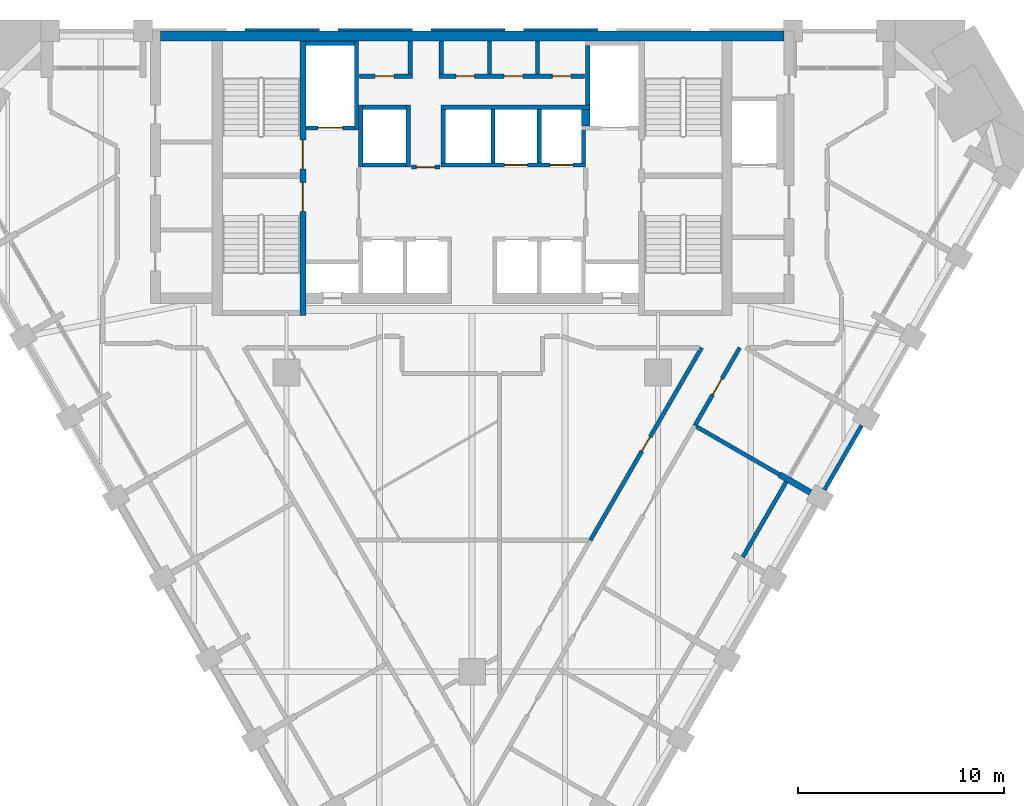
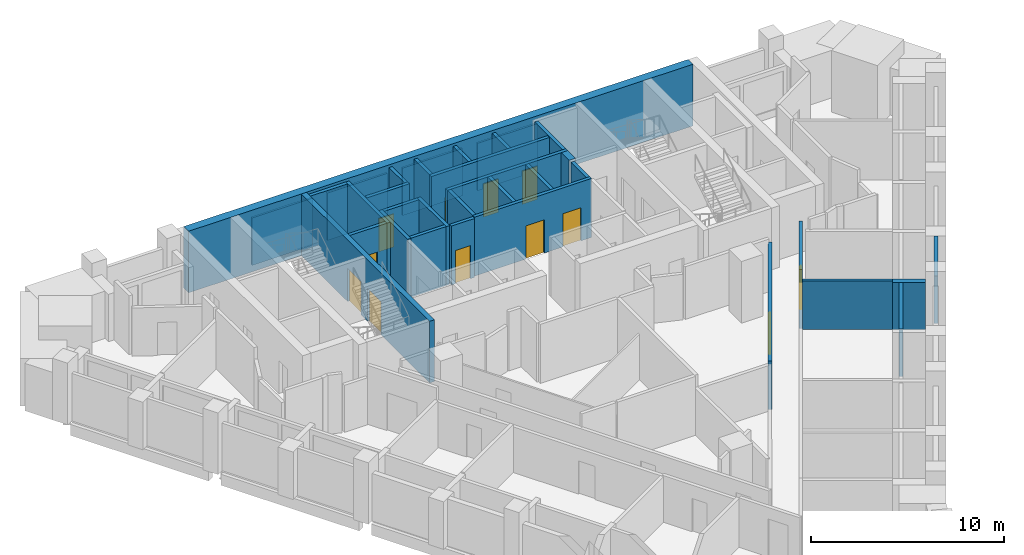
# One storey, part 6 of 10: 34 walls, 12 doors, 12 openings.
"""IFC4 building model written with IfcOpenShell, lengths in metres."""

import ifcopenshell
import ifcopenshell.guid

model = None  # the IFC model being written
_history = None  # IfcOwnerHistory: only IFC2X3 demands one
_inside = {}  # id of a spatial element -> (the spatial element, [elements in it])
_under = {}  # id of a project, library or spatial element -> (it, [spatial elements below it])
_declared = {}  # id of a project -> (the project, [libraries it declares])
_typed = {}  # id of a type object -> (the type object, [elements of that type])
_made_of = {}  # id of a material, layer set ... -> (it, [elements and type objects made of it])


def new_model(schema):
    """Start an empty IFC model of exactly this schema.

    Asked for "IFC4X3", IfcOpenShell would pick the latest addendum, in which some entities
    have other attributes; the version numbers below select the first issue.
    IFC2X3 requires an IfcOwnerHistory on every rooted entity: one is made here for all.
    """
    global model, _history
    if schema == "IFC4X3":
        model = ifcopenshell.file(schema_version=(4, 3, 0, 0))
    else:
        model = ifcopenshell.file(schema=schema)
    _inside.clear()
    _under.clear()
    _declared.clear()
    _typed.clear()
    _made_of.clear()
    _history = None
    if model.schema == "IFC2X3":
        org = make("IfcOrganization", Name="unknown")
        user = make(
            "IfcPersonAndOrganization",
            ThePerson=make("IfcPerson", FamilyName="unknown"),
            TheOrganization=org,
        )
        app = make(
            "IfcApplication",
            ApplicationDeveloper=org,
            Version="unknown",
            ApplicationFullName="unknown",
            ApplicationIdentifier="unknown",
        )
        _history = make(
            "IfcOwnerHistory",
            OwningUser=user,
            OwningApplication=app,
            ChangeAction="ADDED",
            CreationDate=0,
        )
    return model


def make(cls, **values):
    """One entity of the class cls with the attributes given. An attribute that is None is left unset."""
    return model.create_entity(
        cls, **{name: value for name, value in values.items() if value is not None}
    )


def rooted(cls, **values):
    """An entity with a GlobalId (a new one), such as an element, a storey or a relation."""
    return make(cls, GlobalId=ifcopenshell.guid.new(), OwnerHistory=_history, **values)


def si_unit(unit_type, name, prefix=None):
    """IfcSIUnit, for example si_unit("LENGTHUNIT", "METRE", prefix="MILLI")."""
    return make("IfcSIUnit", UnitType=unit_type, Prefix=prefix, Name=name)


def assignment(units):
    """IfcUnitAssignment: the units of a project."""
    return None if units is None else make("IfcUnitAssignment", Units=units)


def point(xyz):
    """IfcCartesianPoint."""
    return None if xyz is None else make("IfcCartesianPoint", Coordinates=xyz)


def direction(xyz):
    """IfcDirection."""
    return None if xyz is None else make("IfcDirection", DirectionRatios=xyz)


def frame(location, z_axis=None, x_axis=None):
    """IfcAxis2Placement3D, a coordinate frame: its origin and axes. An axis left out is left unset."""
    return make(
        "IfcAxis2Placement3D",
        Location=point(location),
        Axis=direction(z_axis),
        RefDirection=direction(x_axis),
    )


def frame_2d(location, x_axis=None):
    """IfcAxis2Placement2D, a coordinate frame in the plane: its origin and x axis."""
    return make(
        "IfcAxis2Placement2D", Location=point(location), RefDirection=direction(x_axis)
    )


def origin():
    """The frame at (0, 0, 0) with its axes left unset."""
    return frame((0.0, 0.0, 0.0))


def place(relative_to, where):
    """IfcLocalPlacement: puts the frame where relative to a parent placement (None: the world)."""
    return make(
        "IfcLocalPlacement", PlacementRelTo=relative_to, RelativePlacement=where
    )


def context(
    kind, dimensions, precision=None, world=None, true_north=None, identifier=None
):
    """IfcGeometricRepresentationContext, for example the 3D "Model" context."""
    return make(
        "IfcGeometricRepresentationContext",
        ContextIdentifier=identifier,
        ContextType=kind,
        CoordinateSpaceDimension=dimensions,
        Precision=precision,
        WorldCoordinateSystem=world,
        TrueNorth=true_north,
    )


def subcontext(parent, identifier, kind, view, scale=None):
    """IfcGeometricRepresentationSubContext, for example "Body" below "Model"."""
    return make(
        "IfcGeometricRepresentationSubContext",
        ContextIdentifier=identifier,
        ContextType=kind,
        ParentContext=parent,
        TargetScale=scale,
        TargetView=view,
    )


def project(units=None, contexts=None):
    """IfcProject with its units and contexts."""
    return rooted(
        "IfcProject",
        Name="project",
        RepresentationContexts=contexts,
        UnitsInContext=assignment(units),
    )


def spatial(cls, under=None, at=None, **own):
    """A site, building, storey or space (cls), placed at a placement, below another one or the project."""
    s = rooted(cls, ObjectPlacement=at, **own)
    if under is not None:
        _under.setdefault(under.id(), (under, []))[1].append(s)
    return s


def polyline(points):
    """IfcPolyline through the points."""
    return make("IfcPolyline", Points=[point(p) for p in points])


def profile(cls, at=None, kind="AREA", **sizes):
    """A parametric profile (cls). Its sizes go by their IFC names, for example OverallWidth=200.0."""
    return make(cls, ProfileType=kind, Position=at, **sizes)


def rectangle(**sizes):
    """IfcRectangleProfileDef."""
    return profile("IfcRectangleProfileDef", **sizes)


def outline(outer, holes=None, kind="AREA"):
    """IfcArbitraryClosedProfileDef: a profile drawn as a closed curve; with holes, ...WithVoids."""
    if holes is None:
        return make("IfcArbitraryClosedProfileDef", ProfileType=kind, OuterCurve=outer)
    return make(
        "IfcArbitraryProfileDefWithVoids",
        ProfileType=kind,
        OuterCurve=outer,
        InnerCurves=holes,
    )


def extrude(swept, where, along, depth):
    """IfcExtrudedAreaSolid: the profile swept, set in the frame where, extruded along a direction by depth."""
    return make(
        "IfcExtrudedAreaSolid",
        SweptArea=swept,
        Position=where,
        ExtrudedDirection=direction(along),
        Depth=depth,
    )


def shape(context_of_items, identifier, shape_type, items):
    """IfcShapeRepresentation: the items that make up one representation, for example the "Body"."""
    return make(
        "IfcShapeRepresentation",
        ContextOfItems=context_of_items,
        RepresentationIdentifier=identifier,
        RepresentationType=shape_type,
        Items=items,
    )


def material(Name=None, Category=None):
    """IfcMaterial."""
    return make("IfcMaterial", Name=Name, Category=Category)


def layer(
    of_material, thickness, ventilated=None, Name=None, Category=None, Priority=None
):
    """IfcMaterialLayer: one layer of a wall or slab, of a material (None: an air gap)."""
    return make(
        "IfcMaterialLayer",
        Material=of_material,
        LayerThickness=thickness,
        IsVentilated=ventilated,
        Name=Name,
        Category=Category,
        Priority=Priority,
    )


def layer_set(layers, Name=None):
    """IfcMaterialLayerSet."""
    return make("IfcMaterialLayerSet", MaterialLayers=layers, LayerSetName=Name)


def made_of(thing, what):
    """Note that an element or type object is made of a material, layer set ...; save() writes the relation."""
    if what is not None:
        _made_of.setdefault(what.id(), (what, []))[1].append(thing)
    return thing


def type_object(cls, material=None, **own):
    """A type object (cls), such as IfcWallType, which elements share."""
    return made_of(rooted(cls, **own), material)


def element(
    cls,
    number,
    at=None,
    inside=None,
    cuts=None,
    type_object=None,
    material=None,
    context=None,
    identifier="Body",
    shape_type=None,
    held_by="IfcProductDefinitionShape",
    body=None,
    shapes=None,
    **own,
):
    """One element of the class cls, such as IfcWall. Its Tag is "e" and its number.

    at: its placement. inside: the storey or other place that contains it. cuts: it is an
    opening in that element (IfcRelVoidsElement). A single representation is given by context,
    identifier, shape_type and body (its items); several are given by shapes. held_by: the class
    of the entity that holds the representations. save() writes the other relations.
    """
    e = rooted(cls, Tag="e%d" % number, ObjectPlacement=at, **own)
    if body is not None:
        shapes = [shape(context, identifier, shape_type, body)]
    if shapes is not None:
        e.Representation = make(held_by, Representations=shapes)
    if inside is not None:
        _inside.setdefault(inside.id(), (inside, []))[1].append(e)
    if cuts is not None:
        rooted(
            "IfcRelVoidsElement", RelatingBuildingElement=cuts, RelatedOpeningElement=e
        )
    if type_object is not None:
        _typed.setdefault(type_object.id(), (type_object, []))[1].append(e)
    return made_of(e, material)


def fill(opening, filler):
    """IfcRelFillsElement: the door or window that sits in an opening."""
    return rooted(
        "IfcRelFillsElement",
        RelatingOpeningElement=opening,
        RelatedBuildingElement=filler,
    )


def aggregate(whole, parts):
    """IfcRelAggregates: a whole, such as a stair, and the parts it consists of."""
    return rooted("IfcRelAggregates", RelatingObject=whole, RelatedObjects=parts)


def save(model, path):
    """Write the relations noted so far, then the file.

    IfcRelAggregates (storeys below a building ...), IfcRelContainedInSpatialStructure (elements
    in a storey), IfcRelDefinesByType, IfcRelAssociatesMaterial and IfcRelDeclares: one each for
    every whole, place, type object, material and project.
    """
    for whole, parts in _under.values():
        aggregate(whole, parts)
    for where, things in _inside.values():
        rooted(
            "IfcRelContainedInSpatialStructure",
            RelatedElements=things,
            RelatingStructure=where,
        )
    for kind, things in _typed.values():
        rooted("IfcRelDefinesByType", RelatedObjects=things, RelatingType=kind)
    for what, things in _made_of.values():
        rooted("IfcRelAssociatesMaterial", RelatedObjects=things, RelatingMaterial=what)
    for by, libraries in _declared.values():
        rooted("IfcRelDeclares", RelatingContext=by, RelatedDefinitions=libraries)
    model.write(path)


model = new_model("IFC4")

# Units and contexts
model_context = context("Model", 3, precision=1e-05, world=origin(), true_north=direction((0.0, 1.0)))
body_context = subcontext(model_context, "Body", "Model", "MODEL_VIEW")
ifc_project = project(units=[si_unit("LENGTHUNIT", "METRE"), si_unit("AREAUNIT", "SQUARE_METRE"), si_unit("VOLUMEUNIT", "CUBIC_METRE"), si_unit("PLANEANGLEUNIT", "RADIAN"), si_unit("MASSUNIT", "GRAM", prefix="KILO")], contexts=[model_context])

# Site, building, storey
site_placement = place(None, origin())
site = spatial("IfcSite", under=ifc_project, at=site_placement, CompositionType="ELEMENT")
building_placement = place(site_placement, origin())
building = spatial("IfcBuilding", under=site, at=building_placement, Name="Calabash Gate Tower", CompositionType="ELEMENT")
storey_placement = place(building_placement, frame((0.0, 0.0, 148.5)))
storey = spatial("IfcBuildingStorey", under=building, at=storey_placement, Name="L34", CompositionType="ELEMENT", Elevation=148.5)

# Walls
ifc_material_1 = material(Name="Terracotta brick masonry, exposed face", Category="masonry")
ifc_layer_1 = layer(ifc_material_1, 0.300048828125)
ifc_layer_set_1 = layer_set([ifc_layer_1], Name="Brick loggia cheek wall 300")
wall_type_1 = type_object("IfcWallType", Name="Brick loggia cheek wall 300", PredefinedType="SOLIDWALL", material=ifc_layer_set_1)
wall_1_placement = place(storey_placement, frame((16.390869140625, -3.31591796875, 0.0), z_axis=(0.0, 0.0, 1.0), x_axis=(-0.866013532718, 0.500020560727, 0.0)))
element("IfcWall", 1, at=wall_1_placement, inside=storey, type_object=wall_type_1, Name="Loggia cheek S09 SE4.4", PredefinedType="SOLIDWALL", context=body_context, shape_type="SweptSolid", body=[
    extrude(rectangle(XDim=1.72509765625, YDim=0.300048828125, at=frame_2d((0.862548828125, 0.0))), origin(), (0.0, 0.0, 1.0), 3.0),
])
ifc_material_2 = material(Name="Gypsum board on steel studs, mineral wool", Category="steel")
ifc_layer_2 = layer(ifc_material_2, 0.199951171875)
ifc_layer_set_2 = layer_set([ifc_layer_2], Name="Core partition 200 gypsum board")
wall_type_2 = type_object("IfcWallType", Name="Core partition 200 gypsum board", PredefinedType="PARTITIONING", material=ifc_layer_set_2)
for number, where, z_axis, x_axis, name in (
    (2, (-3.0, 16.95263671875, 0.0), (0.0, 0.0, 1.0), (0.0, 1.0, 0.0), "Core partition"),
    (3, (-1.5, 16.95263671875, 0.0), (0.0, 0.0, 1.0), (0.0, 1.0, 0.0), "Core partition"),
    (4, (0.833251953125, 16.95263671875, 0.0), (0.0, 0.0, 1.0), (0.0, 1.0, 0.0), "Core partition"),
    (5, (3.166748046875, 16.95263671875, 0.0), (0.0, 0.0, 1.0), (0.0, 1.0, 0.0), "Core partition"),
):
    element("IfcWall", number, at=place(storey_placement, frame(where, z_axis=z_axis, x_axis=x_axis)), inside=storey, type_object=wall_type_2, Name=name, PredefinedType="PARTITIONING", context=body_context, shape_type="SweptSolid", body=[
        extrude(rectangle(XDim=1.599853515625, YDim=0.199951171875, at=frame_2d((0.7998046875, 0.0))), origin(), (0.0, 0.0, 1.0), 3.72998046875),
    ])

# Wall, openings, doors
ifc_material_3 = material(Name="Concrete C70/85", Category="concrete")
ifc_layer_3 = layer(ifc_material_3, 0.300048828125)
ifc_layer_set_3 = layer_set([ifc_layer_3], Name="Core wall 300 Concrete C70/85")
wall_type_3 = type_object("IfcWallType", Name="Core wall 300 Concrete C70/85", PredefinedType="SHEAR", material=ifc_layer_set_3)
wall_2_placement = place(storey_placement, frame((-8.199951171875, 5.252685546875, 0.0), z_axis=(0.0, 0.0, 1.0), x_axis=(0.0, 1.0, 0.0)))
wall_2 = element("IfcWall", 6, at=wall_2_placement, inside=storey, type_object=wall_type_3, Name="Core wall Z3-PARTW L34", PredefinedType="SHEAR", context=body_context, shape_type="SweptSolid", body=[
    extrude(rectangle(XDim=13.2998046875, YDim=0.300048828125, at=frame_2d((6.64990234375, 0.0))), origin(), (0.0, 0.0, 1.0), 3.89990234375),
])
opening_1_placement = place(wall_2_placement, frame((7.10009765625, 0.0, 0.0)))
opening_1 = element("IfcOpeningElement", 7, at=opening_1_placement, cuts=wall_2, Name="Opening O1-016", PredefinedType="OPENING", context=body_context, shape_type="SweptSolid", body=[
    extrude(rectangle(XDim=1.39990234375, YDim=2.10009765625, at=frame_2d((0.699951171875, 1.050048828125))), frame((0.0, 0.159912109375, 0.0), z_axis=(0.0, -1.0, 0.0), x_axis=(1.0, 0.0, 0.0)), (0.0, 0.0, 1.0), 0.320068359375),
])
opening_2_placement = place(wall_2_placement, frame((5.050048828125, 0.0, 0.0)))
opening_2 = element("IfcOpeningElement", 8, at=opening_2_placement, cuts=wall_2, Name="Opening O1-017", PredefinedType="OPENING", context=body_context, shape_type="SweptSolid", body=[
    extrude(rectangle(XDim=1.39990234375, YDim=2.10009765625, at=frame_2d((0.699951171875, 1.050048828125))), frame((0.0, 0.159912109375, 0.0), z_axis=(0.0, -1.0, 0.0), x_axis=(1.0, 0.0, 0.0)), (0.0, 0.0, 1.0), 0.320068359375),
])
ifc_material_4 = material(Name="Steel fire door set with fire-resisting glazing", Category="steel")
door_type_1 = type_object("IfcDoorType", Name="Fire door D05 1400x2100 FD90", OperationType="NOTDEFINED", PredefinedType="DOOR", material=ifc_material_4)
door_1_placement = place(opening_1_placement, origin())
door_1 = element("IfcDoor", 9, at=door_1_placement, inside=storey, type_object=door_type_1, Name="Exit stair door ST1", OperationType="SINGLE_SWING_LEFT", OverallHeight=2.10009765625, OverallWidth=1.39990234375, PredefinedType="DOOR", context=body_context, shape_type="SweptSolid", body=[
    extrude(rectangle(XDim=1.39990234375, YDim=2.10009765625, at=frame_2d((0.699951171875, 1.050048828125))), frame((0.0, 0.02490234375, 0.0), z_axis=(0.0, -1.0, 0.0), x_axis=(1.0, 0.0, 0.0)), (0.0, 0.0, 1.0), 0.050048828125),
])
fill(opening_1, door_1)
door_2_placement = place(opening_2_placement, origin())
door_2 = element("IfcDoor", 10, at=door_2_placement, inside=storey, type_object=door_type_1, Name="Exit stair door ST2", OperationType="SINGLE_SWING_LEFT", OverallHeight=2.10009765625, OverallWidth=1.39990234375, PredefinedType="DOOR", context=body_context, shape_type="SweptSolid", body=[
    extrude(rectangle(XDim=1.39990234375, YDim=2.10009765625, at=frame_2d((0.699951171875, 1.050048828125))), frame((0.0, 0.02490234375, 0.0), z_axis=(0.0, -1.0, 0.0), x_axis=(1.0, 0.0, 0.0)), (0.0, 0.0, 1.0), 0.050048828125),
])
fill(opening_2, door_2)

# Wall
ifc_material_5 = material(Name="Concrete C70/85", Category="concrete")
ifc_layer_4 = layer(ifc_material_5, 0.5)
ifc_layer_set_4 = layer_set([ifc_layer_4], Name="Core wall 500 Concrete C70/85")
wall_type_4 = type_object("IfcWallType", Name="Core wall 500 Concrete C70/85", PredefinedType="SHEAR", material=ifc_layer_set_4)
wall_3_placement = place(storey_placement, frame((-15.10009765625, 18.802490234375, 0.0), z_axis=(0.0, 0.0, 1.0), x_axis=(1.0, 0.0, 0.0)))
element("IfcWall", 11, at=wall_3_placement, inside=storey, type_object=wall_type_4, Name="Core wall Z3-N L34", PredefinedType="SHEAR", context=body_context, shape_type="SweptSolid", body=[
    extrude(rectangle(XDim=30.2001953125, YDim=0.5, at=frame_2d((15.10009765625, 0.0))), origin(), (0.0, 0.0, 1.0), 3.89990234375),
])

# Wall, opening, door
ifc_material_6 = material(Name="Gypsum board on steel studs, mineral wool", Category="steel")
ifc_layer_5 = layer(ifc_material_6, 0.199951171875)
ifc_layer_set_5 = layer_set([ifc_layer_5], Name="Partition 200 gypsum board EI 60")
wall_type_5 = type_object("IfcWallType", Name="Partition 200 gypsum board EI 60", PredefinedType="PARTITIONING", material=ifc_layer_set_5)
wall_4_placement = place(storey_placement, frame((5.72900390625, -5.62890625, 0.0), z_axis=(0.0, 0.0, 1.0), x_axis=(0.500143553768, 0.865942507113, 0.0)))
wall_4 = element("IfcWall", 12, at=wall_4_placement, inside=storey, type_object=wall_type_5, Name="Partition", PredefinedType="PARTITIONING", context=body_context, shape_type="SweptSolid", body=[
    extrude(rectangle(XDim=10.772705078125, YDim=0.199951171875, at=frame_2d((5.38623046875, 0.0))), origin(), (0.0, 0.0, 1.0), 3.052001953125),
])
opening_3_placement = place(wall_4_placement, frame((4.987060546875, 0.0, 0.0)))
opening_3 = element("IfcOpeningElement", 13, at=opening_3_placement, cuts=wall_4, Name="Opening 33-35-008", PredefinedType="OPENING", context=body_context, shape_type="SweptSolid", body=[
    extrude(rectangle(XDim=0.800048828125, YDim=2.10009765625, at=frame_2d((0.39990234375, 1.050048828125))), frame((0.0, 0.10986328125, 0.0), z_axis=(0.0, -1.0, 0.0), x_axis=(1.0, 0.0, 0.0)), (0.0, 0.0, 1.0), 0.219970703125),
])
ifc_material_7 = material(Name="Steel fire door set with fire-resisting glazing", Category="steel")
door_type_2 = type_object("IfcDoorType", Name="SD2 Riser access door 800x2100", OperationType="NOTDEFINED", PredefinedType="DOOR", material=ifc_material_7)
door_3_placement = place(opening_3_placement, origin())
door_3 = element("IfcDoor", 14, at=door_3_placement, inside=storey, type_object=door_type_2, Name="Riser access door", OperationType="SINGLE_SWING_RIGHT", OverallHeight=2.10009765625, OverallWidth=0.800048828125, PredefinedType="DOOR", context=body_context, shape_type="SweptSolid", body=[
    extrude(rectangle(XDim=0.800048828125, YDim=2.10009765625, at=frame_2d((0.39990234375, 1.050048828125))), frame((0.0, 0.02490234375, 0.0), z_axis=(0.0, -1.0, 0.0), x_axis=(1.0, 0.0, 0.0)), (0.0, 0.0, 1.0), 0.050048828125),
])
fill(opening_3, door_3)

# Wall
wall_5_placement = place(storey_placement, frame((10.87255859375, -0.127685546875, 0.0), z_axis=(0.0, 0.0, 1.0), x_axis=(0.86585748916, -0.500290723946, 0.0)))
element("IfcWall", 15, at=wall_5_placement, inside=storey, type_object=wall_type_5, Name="Partition", PredefinedType="PARTITIONING", context=body_context, shape_type="SweptSolid", body=[
    extrude(rectangle(XDim=4.648193359375, YDim=0.199951171875, at=frame_2d((2.32421875, 0.0))), origin(), (0.0, 0.0, 1.0), 3.052001953125),
])

# Wall, opening, door
wall_6_placement = place(storey_placement, frame((10.7861328125, -0.07763671875, 0.0), z_axis=(0.0, 0.0, 1.0), x_axis=(0.499631976044, 0.866237778277, 0.0)))
wall_6 = element("IfcWall", 16, at=wall_6_placement, inside=storey, type_object=wall_type_5, Name="Partition", PredefinedType="PARTITIONING", context=body_context, shape_type="SweptSolid", body=[
    extrude(rectangle(XDim=4.360595703125, YDim=0.199951171875, at=frame_2d((2.18017578125, 0.0))), origin(), (0.0, 0.0, 1.0), 3.72998046875),
])
opening_4_placement = place(wall_6_placement, frame((1.7294921875, 0.0, 0.0)))
opening_4 = element("IfcOpeningElement", 17, at=opening_4_placement, cuts=wall_6, Name="Opening 33-35-007", PredefinedType="OPENING", context=body_context, shape_type="SweptSolid", body=[
    extrude(rectangle(XDim=0.89990234375, YDim=2.10009765625, at=frame_2d((0.449951171875, 1.050048828125))), frame((0.0, 0.10986328125, 0.0), z_axis=(0.0, -1.0, 0.0), x_axis=(1.0, 0.0, 0.0)), (0.0, 0.0, 1.0), 0.219970703125),
])
ifc_material_8 = material(Name="Steel fire door set with fire-resisting glazing", Category="steel")
door_type_3 = type_object("IfcDoorType", Name="SD3 Store door 900x2100", OperationType="NOTDEFINED", PredefinedType="DOOR", material=ifc_material_8)
door_4_placement = place(opening_4_placement, origin())
door_4 = element("IfcDoor", 18, at=door_4_placement, inside=storey, type_object=door_type_3, Name="Store door", OperationType="SINGLE_SWING_RIGHT", OverallHeight=2.10009765625, OverallWidth=0.89990234375, PredefinedType="DOOR", context=body_context, shape_type="SweptSolid", body=[
    extrude(rectangle(XDim=0.89990234375, YDim=2.10009765625, at=frame_2d((0.449951171875, 1.050048828125))), frame((0.0, 0.02490234375, 0.0), z_axis=(0.0, -1.0, 0.0), x_axis=(1.0, 0.0, 0.0)), (0.0, 0.0, 1.0), 0.050048828125),
])
fill(opening_4, door_4)

ifc_material_9 = material(Name="Concrete C40/50", Category="concrete")
ifc_layer_6 = layer(ifc_material_9, 0.199951171875)
ifc_layer_set_6 = layer_set([ifc_layer_6], Name="Shaft wall 200 Concrete C40/50")
wall_type_6 = type_object("IfcWallType", Name="Shaft wall 200 Concrete C40/50", PredefinedType="SOLIDWALL", material=ifc_layer_set_6)
wall_7_placement = place(storey_placement, frame((-2.949951171875, 12.45263671875, 0.0), z_axis=(0.0, 0.0, 1.0), x_axis=(1.0, 0.0, 0.0)))
wall_7 = element("IfcWall", 19, at=wall_7_placement, inside=storey, type_object=wall_type_6, Name="Shaft wall", PredefinedType="SOLIDWALL", context=body_context, shape_type="SweptSolid", body=[
    extrude(rectangle(XDim=1.39990234375, YDim=0.199951171875, at=frame_2d((0.699951171875, 0.0))), origin(), (0.0, 0.0, 1.0), 3.72998046875),
])
opening_5_placement = place(wall_7_placement, frame((0.25, 0.0, 0.0)))
opening_5 = element("IfcOpeningElement", 20, at=opening_5_placement, cuts=wall_7, Name="Opening O1-007", PredefinedType="OPENING", context=body_context, shape_type="SweptSolid", body=[
    extrude(rectangle(XDim=0.89990234375, YDim=2.10009765625, at=frame_2d((0.449951171875, 1.050048828125))), frame((0.0, 0.10986328125, 0.0), z_axis=(0.0, -1.0, 0.0), x_axis=(1.0, 0.0, 0.0)), (0.0, 0.0, 1.0), 0.219970703125),
])
ifc_material_10 = material(Name="Steel fire door set with fire-resisting glazing", Category="steel")
door_type_4 = type_object("IfcDoorType", Name="Fire door D06 900x2100 FD60", OperationType="NOTDEFINED", PredefinedType="DOOR", material=ifc_material_10)
door_5_placement = place(opening_5_placement, origin())
door_5 = element("IfcDoor", 21, at=door_5_placement, inside=storey, type_object=door_type_4, Name="Service Corridor door", OperationType="SINGLE_SWING_RIGHT", OverallHeight=2.10009765625, OverallWidth=0.89990234375, PredefinedType="DOOR", context=body_context, shape_type="SweptSolid", body=[
    extrude(rectangle(XDim=0.89990234375, YDim=2.10009765625, at=frame_2d((0.449951171875, 1.050048828125))), frame((0.0, 0.02490234375, 0.0), z_axis=(0.0, -1.0, 0.0), x_axis=(1.0, 0.0, 0.0)), (0.0, 0.0, 1.0), 0.050048828125),
])
fill(opening_5, door_5)

# Walls
wall_8_placement = place(storey_placement, frame((-5.39990234375, 12.45263671875, 0.0), z_axis=(0.0, 0.0, 1.0), x_axis=(0.0, 1.0, 0.0)))
element("IfcWall", 22, at=wall_8_placement, inside=storey, type_object=wall_type_6, Name="Shaft wall", PredefinedType="SOLIDWALL", context=body_context, shape_type="SweptSolid", body=[
    extrude(rectangle(XDim=3.0, YDim=0.199951171875, at=frame_2d((1.5, 0.0))), origin(), (0.0, 0.0, 1.0), 3.72998046875),
])
wall_9_placement = place(storey_placement, frame((-5.300048828125, 12.552490234375, 0.0), z_axis=(0.0, 0.0, 1.0), x_axis=(1.0, 0.0, 0.0)))
element("IfcWall", 23, at=wall_9_placement, inside=storey, type_object=wall_type_6, Name="Shaft wall", PredefinedType="SOLIDWALL", context=body_context, shape_type="SweptSolid", body=[
    extrude(rectangle(XDim=2.10009765625, YDim=0.199951171875, at=frame_2d((1.050048828125, 0.0))), origin(), (0.0, 0.0, 1.0), 3.72998046875),
])
wall_10_placement = place(storey_placement, frame((-3.10009765625, 12.45263671875, 0.0), z_axis=(0.0, 0.0, 1.0), x_axis=(0.0, 1.0, 0.0)))
element("IfcWall", 24, at=wall_10_placement, inside=storey, type_object=wall_type_6, Name="Shaft wall", PredefinedType="SOLIDWALL", context=body_context, shape_type="SweptSolid", body=[
    extrude(rectangle(XDim=3.0, YDim=0.199951171875, at=frame_2d((1.5, 0.0))), origin(), (0.0, 0.0, 1.0), 3.72998046875),
])

# Wall, openings, doors
wall_11_placement = place(storey_placement, frame((-1.5, 12.552490234375, 0.0), z_axis=(0.0, 0.0, 1.0), x_axis=(1.0, 0.0, 0.0)))
wall_11 = element("IfcWall", 25, at=wall_11_placement, inside=storey, type_object=wall_type_6, Name="Shaft wall", PredefinedType="SOLIDWALL", context=body_context, shape_type="SweptSolid", body=[
    extrude(rectangle(XDim=7.0, YDim=0.199951171875, at=frame_2d((3.5, 0.0))), origin(), (0.0, 0.0, 1.0), 3.72998046875),
])
opening_6_placement = place(wall_11_placement, frame((3.074951171875, 0.0, 0.0)))
opening_6 = element("IfcOpeningElement", 26, at=opening_6_placement, cuts=wall_11, Name="Opening LD-HR5", PredefinedType="OPENING", context=body_context, shape_type="SweptSolid", body=[
    extrude(rectangle(XDim=1.10009765625, YDim=2.10009765625, at=frame_2d((0.550048828125, 1.050048828125))), frame((0.0, 0.10986328125, 0.0), z_axis=(0.0, -1.0, 0.0), x_axis=(1.0, 0.0, 0.0)), (0.0, 0.0, 1.0), 0.219970703125),
])
opening_7_placement = place(wall_11_placement, frame((5.27490234375, 0.0, 0.0)))
opening_7 = element("IfcOpeningElement", 27, at=opening_7_placement, cuts=wall_11, Name="Opening LD-HR6", PredefinedType="OPENING", context=body_context, shape_type="SweptSolid", body=[
    extrude(rectangle(XDim=1.10009765625, YDim=2.10009765625, at=frame_2d((0.550048828125, 1.050048828125))), frame((0.0, 0.10986328125, 0.0), z_axis=(0.0, -1.0, 0.0), x_axis=(1.0, 0.0, 0.0)), (0.0, 0.0, 1.0), 0.219970703125),
])
ifc_material_11 = material(Name="Stainless steel sliding door leaves", Category="steel")
door_type_5 = type_object("IfcDoorType", Name="Lift landing door LS1 1100x2100 FD90", OperationType="DOUBLE_DOOR_SLIDING", PredefinedType="DOOR", material=ifc_material_11)
door_6_placement = place(opening_6_placement, origin())
door_6 = element("IfcDoor", 28, at=door_6_placement, inside=storey, type_object=door_type_5, Name="Lift landing door HR5", OperationType="DOUBLE_DOOR_SLIDING", OverallHeight=2.10009765625, OverallWidth=1.10009765625, PredefinedType="DOOR", context=body_context, shape_type="SweptSolid", body=[
    extrude(rectangle(XDim=1.10009765625, YDim=2.10009765625, at=frame_2d((0.550048828125, 1.050048828125))), frame((0.0, 0.02490234375, 0.0), z_axis=(0.0, -1.0, 0.0), x_axis=(1.0, 0.0, 0.0)), (0.0, 0.0, 1.0), 0.050048828125),
])
fill(opening_6, door_6)
door_7_placement = place(opening_7_placement, origin())
door_7 = element("IfcDoor", 29, at=door_7_placement, inside=storey, type_object=door_type_5, Name="Lift landing door HR6", OperationType="DOUBLE_DOOR_SLIDING", OverallHeight=2.10009765625, OverallWidth=1.10009765625, PredefinedType="DOOR", context=body_context, shape_type="SweptSolid", body=[
    extrude(rectangle(XDim=1.10009765625, YDim=2.10009765625, at=frame_2d((0.550048828125, 1.050048828125))), frame((0.0, 0.02490234375, 0.0), z_axis=(0.0, -1.0, 0.0), x_axis=(1.0, 0.0, 0.0)), (0.0, 0.0, 1.0), 0.050048828125),
])
fill(opening_7, door_7)

# Walls
for number, where, z_axis, x_axis, name in (
    (30, (-1.39990234375, 12.652587890625, 0.0), (0.0, 0.0, 1.0), (0.0, 1.0, 0.0), "Shaft wall"),
    (31, (1.0, 12.652587890625, 0.0), (0.0, 0.0, 1.0), (0.0, 1.0, 0.0), "Shaft wall"),
    (32, (3.25, 12.652587890625, 0.0), (0.0, 0.0, 1.0), (0.0, 1.0, 0.0), "Shaft wall"),
):
    element("IfcWall", number, at=place(storey_placement, frame(where, z_axis=z_axis, x_axis=x_axis)), inside=storey, type_object=wall_type_6, Name=name, PredefinedType="SOLIDWALL", context=body_context, shape_type="SweptSolid", body=[
        extrude(rectangle(XDim=2.60009765625, YDim=0.199951171875, at=frame_2d((1.300048828125, 0.0))), origin(), (0.0, 0.0, 1.0), 3.72998046875),
    ])
wall_12_placement = place(storey_placement, frame((5.39990234375, 12.652587890625, 0.0), z_axis=(0.0, 0.0, 1.0), x_axis=(0.0, 1.0, 0.0)))
element("IfcWall", 33, at=wall_12_placement, inside=storey, type_object=wall_type_6, Name="Shaft wall", PredefinedType="SOLIDWALL", context=body_context, shape_type="SweptSolid", body=[
    extrude(rectangle(XDim=1.60009765625, YDim=0.199951171875, at=frame_2d((0.800048828125, 0.0))), origin(), (0.0, 0.0, 1.0), 3.72998046875),
])

# Wall, opening, door
wall_13_placement = place(storey_placement, frame((-8.050048828125, 14.3525390625, 0.0), z_axis=(0.0, 0.0, 1.0), x_axis=(1.0, 0.0, 0.0)))
wall_13 = element("IfcWall", 34, at=wall_13_placement, inside=storey, type_object=wall_type_6, Name="Shaft wall", PredefinedType="SOLIDWALL", context=body_context, shape_type="SweptSolid", body=[
    extrude(rectangle(XDim=2.35009765625, YDim=0.199951171875, at=frame_2d((1.175048828125, 0.0))), origin(), (0.0, 0.0, 1.0), 3.72998046875),
])
opening_8_placement = place(wall_13_placement, frame((0.574951171875, 0.0, 0.0)))
opening_8 = element("IfcOpeningElement", 35, at=opening_8_placement, cuts=wall_13, Name="Opening LD-FF1", PredefinedType="OPENING", context=body_context, shape_type="SweptSolid", body=[
    extrude(rectangle(XDim=1.199951171875, YDim=2.10009765625, at=frame_2d((0.60009765625, 1.050048828125))), frame((0.0, 0.10986328125, 0.0), z_axis=(0.0, -1.0, 0.0), x_axis=(1.0, 0.0, 0.0)), (0.0, 0.0, 1.0), 0.219970703125),
])
ifc_material_12 = material(Name="Stainless steel sliding door leaves", Category="steel")
door_type_6 = type_object("IfcDoorType", Name="Lift landing door LS3 1200x2100 FD90", OperationType="DOUBLE_DOOR_SLIDING", PredefinedType="DOOR", material=ifc_material_12)
door_8_placement = place(opening_8_placement, origin())
door_8 = element("IfcDoor", 36, at=door_8_placement, inside=storey, type_object=door_type_6, Name="Lift landing door FF1", OperationType="DOUBLE_DOOR_SLIDING", OverallHeight=2.10009765625, OverallWidth=1.199951171875, PredefinedType="DOOR", context=body_context, shape_type="SweptSolid", body=[
    extrude(rectangle(XDim=1.199951171875, YDim=2.10009765625, at=frame_2d((0.60009765625, 1.050048828125))), frame((0.0, 0.02490234375, 0.0), z_axis=(0.0, -1.0, 0.0), x_axis=(1.0, 0.0, 0.0)), (0.0, 0.0, 1.0), 0.050048828125),
])
fill(opening_8, door_8)

# Walls
wall_14_placement = place(storey_placement, frame((-5.60009765625, 14.252685546875, 0.0), z_axis=(0.0, 0.0, 1.0), x_axis=(0.0, 1.0, 0.0)))
element("IfcWall", 37, at=wall_14_placement, inside=storey, type_object=wall_type_6, Name="Shaft wall", PredefinedType="SOLIDWALL", context=body_context, shape_type="SweptSolid", body=[
    extrude(rectangle(XDim=4.2998046875, YDim=0.199951171875, at=frame_2d((2.14990234375, 0.0))), origin(), (0.0, 0.0, 1.0), 3.72998046875),
])
wall_15_placement = place(storey_placement, frame((5.5, 14.45263671875, 0.0), z_axis=(0.0, 0.0, 1.0), x_axis=(0.0, 1.0, 0.0)))
element("IfcWall", 38, at=wall_15_placement, inside=storey, type_object=wall_type_6, Name="Shaft wall", PredefinedType="SOLIDWALL", context=body_context, shape_type="SweptSolid", body=[
    extrude(rectangle(XDim=0.800048828125, YDim=0.39990234375, at=frame_2d((0.39990234375, 0.0))), origin(), (0.0, 0.0, 1.0), 3.72998046875),
])
wall_16_placement = place(storey_placement, frame((-5.300048828125, 15.3525390625, 0.0), z_axis=(0.0, 0.0, 1.0), x_axis=(1.0, 0.0, 0.0)))
element("IfcWall", 39, at=wall_16_placement, inside=storey, type_object=wall_type_6, Name="Shaft wall", PredefinedType="SOLIDWALL", context=body_context, shape_type="SweptSolid", body=[
    extrude(rectangle(XDim=2.10009765625, YDim=0.199951171875, at=frame_2d((1.050048828125, 0.0))), origin(), (0.0, 0.0, 1.0), 3.72998046875),
])
wall_17_placement = place(storey_placement, frame((-1.5, 15.3525390625, 0.0), z_axis=(0.0, 0.0, 1.0), x_axis=(1.0, 0.0, 0.0)))
element("IfcWall", 40, at=wall_17_placement, inside=storey, type_object=wall_type_6, Name="Shaft wall", PredefinedType="SOLIDWALL", context=body_context, shape_type="SweptSolid", body=[
    extrude(rectangle(XDim=7.199951171875, YDim=0.199951171875, at=frame_2d((3.60009765625, 0.0))), origin(), (0.0, 0.0, 1.0), 3.72998046875),
])
wall_18_placement = place(storey_placement, frame((5.60009765625, 15.45263671875, 0.0), z_axis=(0.0, 0.0, 1.0), x_axis=(0.0, 1.0, 0.0)))
element("IfcWall", 41, at=wall_18_placement, inside=storey, type_object=wall_type_6, Name="Shaft wall", PredefinedType="SOLIDWALL", context=body_context, shape_type="SweptSolid", body=[
    extrude(rectangle(XDim=2.89990234375, YDim=0.199951171875, at=frame_2d((1.449951171875, 0.0))), origin(), (0.0, 0.0, 1.0), 3.72998046875),
])

# Wall, opening, door
wall_19_placement = place(storey_placement, frame((-5.449951171875, 16.8525390625, 0.0), z_axis=(0.0, 0.0, 1.0), x_axis=(1.0, 0.0, 0.0)))
wall_19 = element("IfcWall", 42, at=wall_19_placement, inside=storey, type_object=wall_type_6, Name="Shaft wall", PredefinedType="SOLIDWALL", context=body_context, shape_type="SweptSolid", body=[
    extrude(rectangle(XDim=2.550048828125, YDim=0.199951171875, at=frame_2d((1.27490234375, 0.0))), origin(), (0.0, 0.0, 1.0), 3.72998046875),
])
opening_9_placement = place(wall_19_placement, frame((0.75, 0.0, 0.0)))
opening_9 = element("IfcOpeningElement", 43, at=opening_9_placement, cuts=wall_19, Name="Opening O1-010", PredefinedType="OPENING", context=body_context, shape_type="SweptSolid", body=[
    extrude(rectangle(XDim=0.89990234375, YDim=2.10009765625, at=frame_2d((0.449951171875, 1.050048828125))), frame((0.0, 0.10986328125, 0.0), z_axis=(0.0, -1.0, 0.0), x_axis=(1.0, 0.0, 0.0)), (0.0, 0.0, 1.0), 0.219970703125),
])
door_9_placement = place(opening_9_placement, origin())
door_9 = element("IfcDoor", 44, at=door_9_placement, inside=storey, type_object=door_type_4, Name="Accessible WC door", OperationType="SINGLE_SWING_LEFT", OverallHeight=2.10009765625, OverallWidth=0.89990234375, PredefinedType="DOOR", context=body_context, shape_type="SweptSolid", body=[
    extrude(rectangle(XDim=0.89990234375, YDim=2.10009765625, at=frame_2d((0.449951171875, 1.050048828125))), frame((0.0, 0.02490234375, 0.0), z_axis=(0.0, -1.0, 0.0), x_axis=(1.0, 0.0, 0.0)), (0.0, 0.0, 1.0), 0.050048828125),
])
fill(opening_9, door_9)

# Wall, openings, doors
wall_20_placement = place(storey_placement, frame((-1.60009765625, 16.8525390625, 0.0), z_axis=(0.0, 0.0, 1.0), x_axis=(1.0, 0.0, 0.0)))
wall_20 = element("IfcWall", 45, at=wall_20_placement, inside=storey, type_object=wall_type_6, Name="Shaft wall", PredefinedType="SOLIDWALL", context=body_context, shape_type="SweptSolid", body=[
    extrude(rectangle(XDim=7.050048828125, YDim=0.199951171875, at=frame_2d((3.52490234375, 0.0))), origin(), (0.0, 0.0, 1.0), 3.72998046875),
])
opening_10_placement = place(wall_20_placement, frame((0.816650390625, 0.0, 0.0)))
opening_10 = element("IfcOpeningElement", 46, at=opening_10_placement, cuts=wall_20, Name="Opening O1-011", PredefinedType="OPENING", context=body_context, shape_type="SweptSolid", body=[
    extrude(rectangle(XDim=0.89990234375, YDim=2.10009765625, at=frame_2d((0.449951171875, 1.050048828125))), frame((0.0, 0.10986328125, 0.0), z_axis=(0.0, -1.0, 0.0), x_axis=(1.0, 0.0, 0.0)), (0.0, 0.0, 1.0), 0.219970703125),
])
opening_11_placement = place(wall_20_placement, frame((3.14990234375, 0.0, 0.0)))
opening_11 = element("IfcOpeningElement", 47, at=opening_11_placement, cuts=wall_20, Name="Opening O1-012", PredefinedType="OPENING", context=body_context, shape_type="SweptSolid", body=[
    extrude(rectangle(XDim=0.89990234375, YDim=2.10009765625, at=frame_2d((0.449951171875, 1.050048828125))), frame((0.0, 0.10986328125, 0.0), z_axis=(0.0, -1.0, 0.0), x_axis=(1.0, 0.0, 0.0)), (0.0, 0.0, 1.0), 0.219970703125),
])
opening_12_placement = place(wall_20_placement, frame((5.4833984375, 0.0, 0.0)))
opening_12 = element("IfcOpeningElement", 48, at=opening_12_placement, cuts=wall_20, Name="Opening O1-013", PredefinedType="OPENING", context=body_context, shape_type="SweptSolid", body=[
    extrude(rectangle(XDim=0.89990234375, YDim=2.10009765625, at=frame_2d((0.449951171875, 1.050048828125))), frame((0.0, 0.10986328125, 0.0), z_axis=(0.0, -1.0, 0.0), x_axis=(1.0, 0.0, 0.0)), (0.0, 0.0, 1.0), 0.219970703125),
])
door_10_placement = place(opening_10_placement, origin())
door_10 = element("IfcDoor", 49, at=door_10_placement, inside=storey, type_object=door_type_4, Name="Cleaner's Store door", OperationType="SINGLE_SWING_LEFT", OverallHeight=2.10009765625, OverallWidth=0.89990234375, PredefinedType="DOOR", context=body_context, shape_type="SweptSolid", body=[
    extrude(rectangle(XDim=0.89990234375, YDim=2.10009765625, at=frame_2d((0.449951171875, 1.050048828125))), frame((0.0, 0.02490234375, 0.0), z_axis=(0.0, -1.0, 0.0), x_axis=(1.0, 0.0, 0.0)), (0.0, 0.0, 1.0), 0.050048828125),
])
fill(opening_10, door_10)
door_11_placement = place(opening_11_placement, origin())
door_11 = element("IfcDoor", 50, at=door_11_placement, inside=storey, type_object=door_type_4, Name="Tenant Pantry door", OperationType="SINGLE_SWING_LEFT", OverallHeight=2.10009765625, OverallWidth=0.89990234375, PredefinedType="DOOR", context=body_context, shape_type="SweptSolid", body=[
    extrude(rectangle(XDim=0.89990234375, YDim=2.10009765625, at=frame_2d((0.449951171875, 1.050048828125))), frame((0.0, 0.02490234375, 0.0), z_axis=(0.0, -1.0, 0.0), x_axis=(1.0, 0.0, 0.0)), (0.0, 0.0, 1.0), 0.050048828125),
])
fill(opening_11, door_11)
door_12_placement = place(opening_12_placement, origin())
door_12 = element("IfcDoor", 51, at=door_12_placement, inside=storey, type_object=door_type_4, Name="Print Room door", OperationType="SINGLE_SWING_RIGHT", OverallHeight=2.10009765625, OverallWidth=0.89990234375, PredefinedType="DOOR", context=body_context, shape_type="SweptSolid", body=[
    extrude(rectangle(XDim=0.89990234375, YDim=2.10009765625, at=frame_2d((0.449951171875, 1.050048828125))), frame((0.0, 0.02490234375, 0.0), z_axis=(0.0, -1.0, 0.0), x_axis=(1.0, 0.0, 0.0)), (0.0, 0.0, 1.0), 0.050048828125),
])
fill(opening_12, door_12)

# Walls
wall_21_placement = place(storey_placement, frame((-8.050048828125, 18.45263671875, 0.0), z_axis=(0.0, 0.0, 1.0), x_axis=(1.0, 0.0, 0.0)))
element("IfcWall", 52, at=wall_21_placement, inside=storey, type_object=wall_type_6, Name="Shaft wall", PredefinedType="SOLIDWALL", context=body_context, shape_type="SweptSolid", body=[
    extrude(rectangle(XDim=2.35009765625, YDim=0.199951171875, at=frame_2d((1.175048828125, 0.0))), origin(), (0.0, 0.0, 1.0), 3.72998046875),
])
ifc_material_13 = material(Name="Terracotta brick masonry, perforated", Category="masonry")
ifc_layer_7 = layer(ifc_material_13, 0.1201171875)
ifc_layer_set_7 = layer_set([ifc_layer_7], Name="Terracotta jaali cladding A 120")
wall_type_7 = type_object("IfcWallType", Name="Terracotta jaali cladding A 120", PredefinedType="SOLIDWALL", material=ifc_layer_set_7)
wall_22_placement = place(storey_placement, origin())
element("IfcWall", 53, at=wall_22_placement, inside=storey, type_object=wall_type_7, Name="Jaali cladding S09 N6.5", PredefinedType="SOLIDWALL", context=body_context, shape_type="SweptSolid", body=[
    extrude(outline(polyline([(-2.004638671875, 19.172607421875), (-2.004638671875, 19.052490234375), (1.59521484375, 19.052490234375), (1.59521484375, 19.172607421875), (-2.004638671875, 19.172607421875)])), origin(), (0.0, 0.0, 1.0), 3.0),
])
wall_23_placement = place(storey_placement, origin())
element("IfcWall", 54, at=wall_23_placement, inside=storey, type_object=wall_type_7, Name="Jaali cladding S09 N6.7", PredefinedType="SOLIDWALL", context=body_context, shape_type="SweptSolid", body=[
    extrude(outline(polyline([(-11.004638671875, 19.172607421875), (-11.004638671875, 19.052490234375), (-7.40478515625, 19.052490234375), (-7.40478515625, 19.172607421875), (-11.004638671875, 19.172607421875)])), origin(), (0.0, 0.0, 1.0), 3.0),
])
ifc_material_14 = material(Name="Terracotta brick masonry, perforated", Category="masonry")
ifc_layer_8 = layer(ifc_material_14, 0.199951171875)
ifc_layer_set_8 = layer_set([ifc_layer_8], Name="Terracotta jaali screen A")
wall_type_8 = type_object("IfcWallType", Name="Terracotta jaali screen A", PredefinedType="SOLIDWALL", material=ifc_layer_set_8)
wall_24_placement = place(storey_placement, origin())
element("IfcWall", 55, at=wall_24_placement, inside=storey, type_object=wall_type_8, Name="SCREEN A S09 SE4.5", PredefinedType="SOLIDWALL", context=body_context, shape_type="SweptSolid", body=[
    extrude(outline(polyline([(18.783935546875, -0.02099609375), (16.984130859375, -3.13818359375), (17.157470703125, -3.23828125), (18.95703125, -0.120849609375), (18.783935546875, -0.02099609375)])), origin(), (0.0, 0.0, 1.0), 3.0),
])
ifc_material_15 = material(Name="Terracotta louvre blades in an aluminium frame", Category="masonry")
ifc_layer_9 = layer(ifc_material_15, 0.1201171875)
ifc_layer_set_9 = layer_set([ifc_layer_9], Name="Terracotta vent louvre cladding 120")
wall_type_9 = type_object("IfcWallType", Name="Terracotta vent louvre cladding 120", PredefinedType="ELEMENTEDWALL", material=ifc_layer_set_9)
wall_25_placement = place(storey_placement, origin())
element("IfcWall", 56, at=wall_25_placement, inside=storey, type_object=wall_type_9, Name="Vent louvre cladding S09 N6.4", PredefinedType="ELEMENTEDWALL", context=body_context, shape_type="SweptSolid", body=[
    extrude(outline(polyline([(2.495361328125, 19.172607421875), (2.495361328125, 19.052490234375), (6.09521484375, 19.052490234375), (6.09521484375, 19.172607421875), (2.495361328125, 19.172607421875)])), origin(), (0.0, 0.0, 1.0), 3.0),
])
wall_26_placement = place(storey_placement, origin())
element("IfcWall", 57, at=wall_26_placement, inside=storey, type_object=wall_type_9, Name="Vent louvre cladding S09 N6.6", PredefinedType="ELEMENTEDWALL", context=body_context, shape_type="SweptSolid", body=[
    extrude(outline(polyline([(-6.504638671875, 19.172607421875), (-6.504638671875, 19.052490234375), (-2.90478515625, 19.052490234375), (-2.90478515625, 19.172607421875), (-6.504638671875, 19.172607421875)])), origin(), (0.0, 0.0, 1.0), 3.0),
])
ifc_material_16 = material(Name="Aluminium framed window wall with insulated spandrel", Category="aluminium")
ifc_layer_10 = layer(ifc_material_16, 0.199951171875)
ifc_layer_set_10 = layer_set([ifc_layer_10], Name="Window wall 200")
wall_type_10 = type_object("IfcWallType", Name="Window wall 200", PredefinedType="ELEMENTEDWALL", material=ifc_layer_set_10)
wall_27_placement = place(storey_placement, frame((13.111572265625, -6.445556640625, 0.0), z_axis=(0.0, 0.0, 1.0), x_axis=(0.500027713859, 0.866009402589, 0.0)))
element("IfcWall", 58, at=wall_27_placement, inside=storey, type_object=wall_type_10, Name="Window wall S09 SE4.4", PredefinedType="ELEMENTEDWALL", context=body_context, shape_type="SweptSolid", body=[
    extrude(rectangle(XDim=4.199951171875, YDim=0.199951171875, at=frame_2d((2.10009765625, 0.0))), origin(), (0.0, 0.0, 1.0), 3.0),
])

save(model, "model.ifc")
